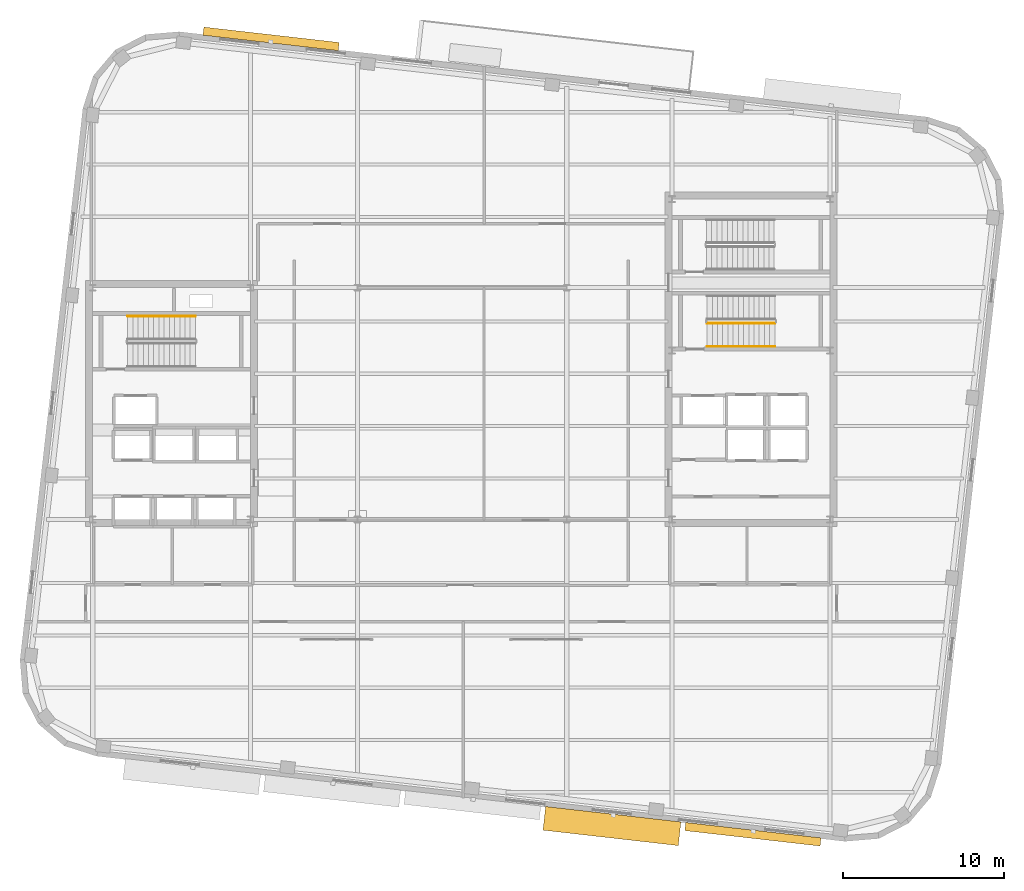
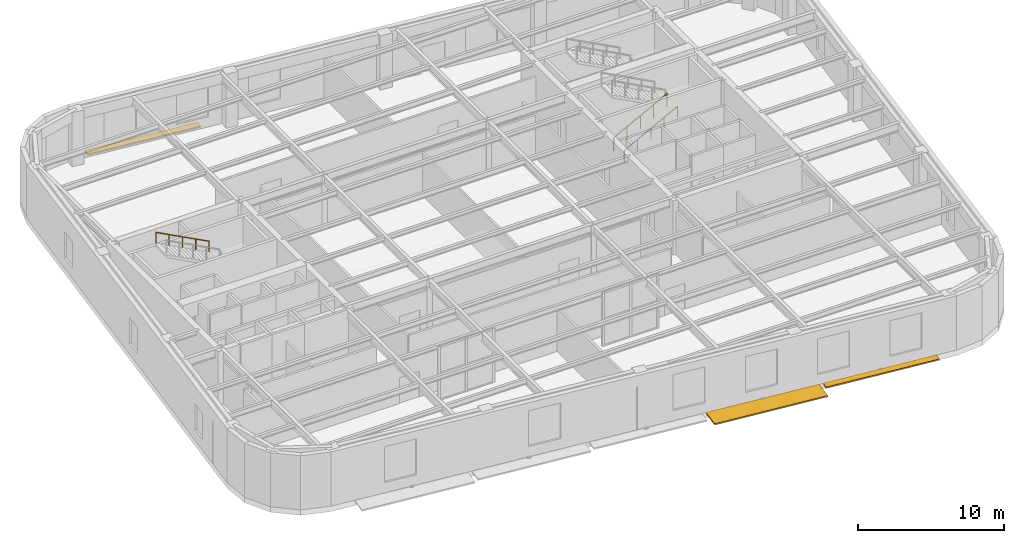
# One storey, part 13 of 15: 3 railings, 3 shading devices.
"""IFC4 building model written with IfcOpenShell, lengths in metres."""

from ifc_helpers import new_model, si_unit, direction, frame, origin, origin_2d, place, context, subcontext, project, spatial, rectangle, circle, extrude, material, type_object, element, save


model = new_model("IFC4")

# Units and contexts
model_context = context("Model", 3, precision=1e-05, world=origin(), true_north=direction((0.0, 1.0)))
body_context = subcontext(model_context, "Body", "Model", "MODEL_VIEW")
ifc_project = project(units=[si_unit("LENGTHUNIT", "METRE"), si_unit("AREAUNIT", "SQUARE_METRE"), si_unit("VOLUMEUNIT", "CUBIC_METRE"), si_unit("PLANEANGLEUNIT", "RADIAN"), si_unit("MASSUNIT", "GRAM", prefix="KILO")], contexts=[model_context])

# Site, building, storey
site_placement = place(None, origin())
site = spatial("IfcSite", under=ifc_project, at=site_placement, CompositionType="ELEMENT")
building_placement = place(site_placement, origin())
building = spatial("IfcBuilding", under=site, at=building_placement, Name="Kolvaren Arena Tower", CompositionType="ELEMENT")
storey_placement = place(building_placement, frame((0.0, 0.0, 216.14990234375)))
storey = spatial("IfcBuildingStorey", under=building, at=storey_placement, Name="L52", CompositionType="ELEMENT", Elevation=216.14990234375)

# Railings
ifc_material_1 = material(Name="Painted galvanized steel", Category="steel")
railing_type_1 = type_object("IfcRailingType", Name="GUARD-ST-110", PredefinedType="GUARDRAIL", material=ifc_material_1)
railing_1_placement = place(storey_placement, frame((52.719970703125, 31.639892578125, 0.171630859375)))
element("IfcRailing", 1, at=railing_1_placement, inside=storey, type_object=railing_type_1, Name="L52 ST-E1 stair guard 1", PredefinedType="GUARDRAIL", context=body_context, shape_type="SweptSolid", body=[
    extrude(circle(Radius=0.02392578125, at=origin_2d()), frame((0.0, 0.0, 1.076171875), z_axis=(0.883902544957, 0.0, 0.467671135542), x_axis=(0.0, 1.0, 0.0)), (0.0, 0.0, 1.0), 4.76513671875),
    extrude(circle(Radius=0.02099609375, at=origin_2d()), origin(), (0.0, 0.0, 1.0), 1.052001953125),
    extrude(circle(Radius=0.02099609375, at=origin_2d()), frame((1.052978515625, 0.0, 0.55712890625)), (0.0, 0.0, 1.0), 1.052001953125),
    extrude(circle(Radius=0.02099609375, at=origin_2d()), frame((2.10595703125, 0.0, 1.1142578125)), (0.0, 0.0, 1.0), 1.052001953125),
    extrude(circle(Radius=0.02099609375, at=origin_2d()), frame((3.158935546875, 0.0, 1.67138671875)), (0.0, 0.0, 1.0), 1.052001953125),
    extrude(circle(Radius=0.02099609375, at=origin_2d()), frame((4.2119140625, 0.0, 2.228515625)), (0.0, 0.0, 1.0), 1.052001953125),
])
ifc_material_2 = material(Name="Brushed stainless steel handrail", Category="steel")
railing_type_2 = type_object("IfcRailingType", Name="HRAIL-900", PredefinedType="HANDRAIL", material=ifc_material_2)
railing_2_placement = place(storey_placement, frame((20.931884765625, 32.080078125, 2.571533203125)))
element("IfcRailing", 2, at=railing_2_placement, inside=storey, type_object=railing_type_2, Name="L52 ST-W1 stair handrail 2", PredefinedType="HANDRAIL", context=body_context, shape_type="SweptSolid", body=[
    extrude(circle(Radius=0.02392578125, at=origin_2d()), frame((0.0, 0.0, 0.8759765625), z_axis=(-0.883902544957, 0.0, 0.467671135542), x_axis=(0.0, -1.0, 0.0)), (0.0, 0.0, 1.0), 4.76513671875),
    extrude(circle(Radius=0.02099609375, at=origin_2d()), origin(), (0.0, 0.0, 1.0), 0.851806640625),
    extrude(circle(Radius=0.02099609375, at=origin_2d()), frame((-1.052978515625, 0.0, 0.55712890625)), (0.0, 0.0, 1.0), 0.851806640625),
    extrude(circle(Radius=0.02099609375, at=origin_2d()), frame((-2.10595703125, 0.0, 1.1142578125)), (0.0, 0.0, 1.0), 0.851806640625),
    extrude(circle(Radius=0.02099609375, at=origin_2d()), frame((-3.158935546875, 0.0, 1.67138671875)), (0.0, 0.0, 1.0), 0.851806640625),
    extrude(circle(Radius=0.02099609375, at=origin_2d()), frame((-4.2119140625, 0.0, 2.228515625)), (0.0, 0.0, 1.0), 0.851806640625),
])
railing_3_placement = place(storey_placement, frame((52.719970703125, 30.199951171875, 0.171630859375)))
element("IfcRailing", 3, at=railing_3_placement, inside=storey, type_object=railing_type_2, Name="L52 ST-E1 stair handrail 1", PredefinedType="HANDRAIL", context=body_context, shape_type="SweptSolid", body=[
    extrude(circle(Radius=0.02392578125, at=origin_2d()), frame((0.0, 0.0, 0.8759765625), z_axis=(0.883902544957, 0.0, 0.467671135542), x_axis=(0.0, 1.0, 0.0)), (0.0, 0.0, 1.0), 4.76513671875),
    extrude(circle(Radius=0.02099609375, at=origin_2d()), origin(), (0.0, 0.0, 1.0), 0.851806640625),
    extrude(circle(Radius=0.02099609375, at=origin_2d()), frame((1.052978515625, 0.0, 0.55712890625)), (0.0, 0.0, 1.0), 0.851806640625),
    extrude(circle(Radius=0.02099609375, at=origin_2d()), frame((2.10595703125, 0.0, 1.1142578125)), (0.0, 0.0, 1.0), 0.851806640625),
    extrude(circle(Radius=0.02099609375, at=origin_2d()), frame((3.158935546875, 0.0, 1.67138671875)), (0.0, 0.0, 1.0), 0.851806640625),
    extrude(circle(Radius=0.02099609375, at=origin_2d()), frame((4.2119140625, 0.0, 2.228515625)), (0.0, 0.0, 1.0), 0.851806640625),
])

# Shading devices
ifc_material_3 = material(Name="Architectural precast GFRC and anodised aluminium sunshade", Category="concrete")
shading_device_type_1 = type_object("IfcShadingDeviceType", Name="SHAD-SINE-A", PredefinedType="USERDEFINED", material=ifc_material_3)
for number, where, z_axis, x_axis, name in (
    (4, (25.630859375, 49.308837890625, -0.139892578125), (0.0, 0.0, 1.0), (0.993571658098, -0.113204947878, 0.0), "Sinusoidal Slab-Edge Sunshade Louvre (L52)"),
    (5, (55.569091796875, -0.10888671875, -0.139892578125), (0.0, 0.0, 1.0), (-0.993571658098, 0.113204947878, 0.0), "Sinusoidal Slab-Edge Sunshade Louvre (L52)"),
):
    element("IfcShadingDevice", number, at=place(storey_placement, frame(where, z_axis=z_axis, x_axis=x_axis)), inside=storey, type_object=shading_device_type_1, Name=name, ObjectType="LOUVRE", PredefinedType="USERDEFINED", context=body_context, shape_type="SweptSolid", body=[
        extrude(rectangle(XDim=8.4599609375, YDim=0.510986328125, at=origin_2d()), origin(), (0.0, 0.0, 1.0), 0.1201171875),
    ])
shading_device_type_2 = type_object("IfcShadingDeviceType", Name="SHAD-SINE-B", PredefinedType="JALOUSIE", material=ifc_material_3)
shading_device_placement = place(storey_placement, frame((46.810546875, 0.4013671875, -0.139892578125), z_axis=(0.0, 0.0, 1.0), x_axis=(-0.993571658098, 0.113204947878, 0.0)))
element("IfcShadingDevice", 6, at=shading_device_placement, inside=storey, type_object=shading_device_type_2, Name="Sinusoidal Slab-Edge Sunshade Louvre (L52)", PredefinedType="JALOUSIE", context=body_context, shape_type="SweptSolid", body=[
    extrude(rectangle(XDim=8.4599609375, YDim=1.480224609375, at=origin_2d()), origin(), (0.0, 0.0, 1.0), 0.1201171875),
])

save(model, "model.ifc")
